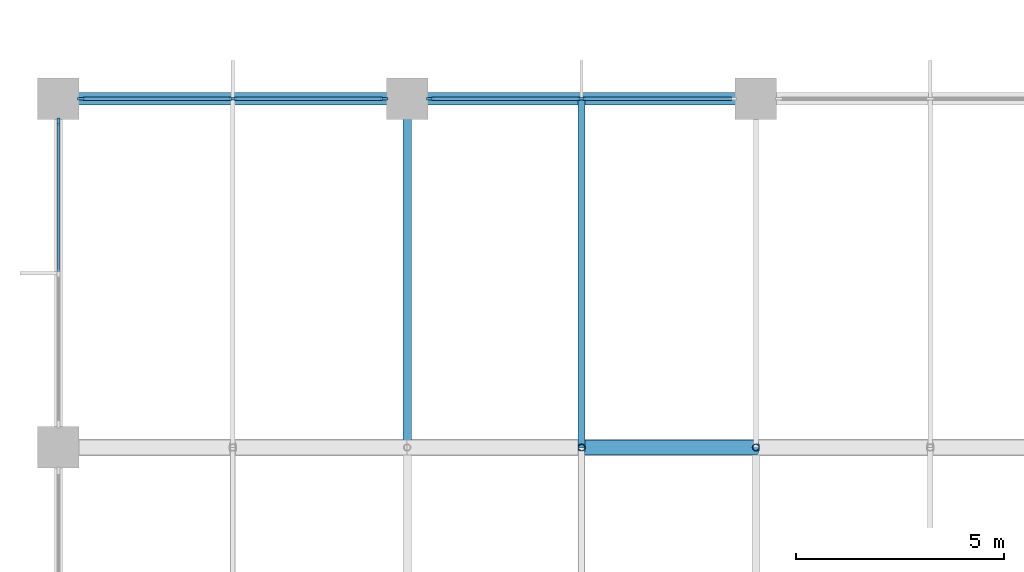
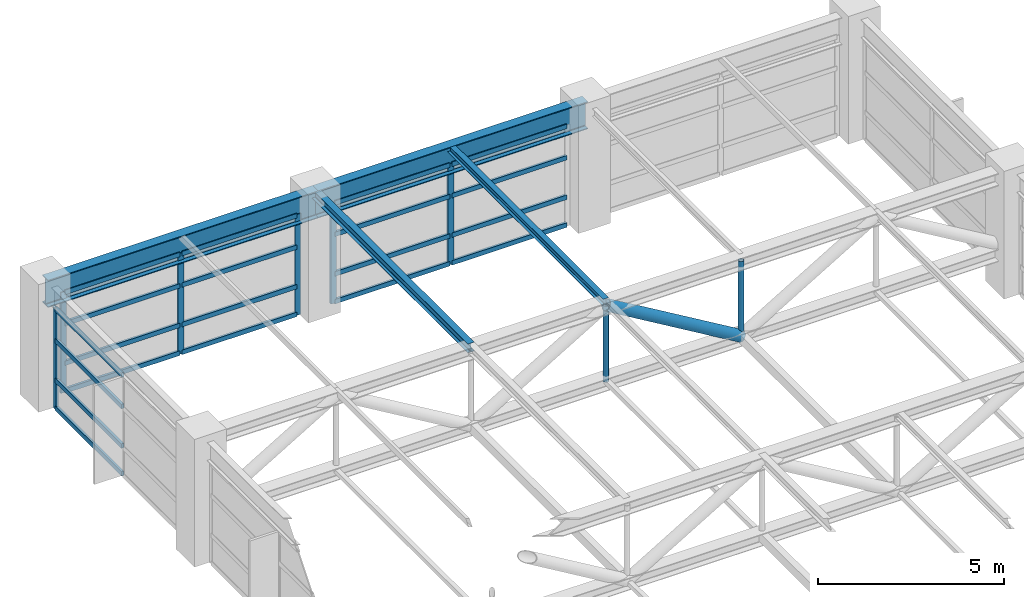
# One storey, part 16 of 32: 31 members, 2 beams, 3 elements without a shape of their own.
"""IFC4 building model written with IfcOpenShell, lengths in metres."""

from ifc_helpers import new_model, si_unit, direction, frame, origin, origin_2d, place, context, subcontext, project, spatial, rectangle, hollow_circle, i_section, extrude, material, material_profile, profile_set, type_object, element, aggregate, save


model = new_model("IFC4")

# Units and contexts
model_context = context("Model", 3, precision=1e-05, world=origin(), true_north=direction((0.0, 1.0)))
body_context = subcontext(model_context, "Body", "Model", "MODEL_VIEW")
ifc_project = project(units=[si_unit("LENGTHUNIT", "METRE"), si_unit("AREAUNIT", "SQUARE_METRE"), si_unit("VOLUMEUNIT", "CUBIC_METRE"), si_unit("PLANEANGLEUNIT", "RADIAN"), si_unit("MASSUNIT", "GRAM", prefix="KILO")], contexts=[model_context])

# Site, building, storey
site_placement = place(None, origin())
site = spatial("IfcSite", under=ifc_project, at=site_placement, CompositionType="ELEMENT")
building_placement = place(site_placement, origin())
building = spatial("IfcBuilding", under=site, at=building_placement, Name="Xuanlan Plaza Opera House", CompositionType="ELEMENT")
storey_placement = place(building_placement, frame((0.0, 0.0, 40.5)))
storey = spatial("IfcBuildingStorey", under=building, at=storey_placement, Name="L09", CompositionType="ELEMENT", Elevation=40.5)

# Curtain wall, members
ifc_material_1 = material(Name="Anodised Aluminium 6063-T6 and Low-E Glass", Category="aluminium")
curtain_wall_type = type_object("IfcCurtainWallType", Name="ENV-CW-CW-05", PredefinedType="USERDEFINED", material=ifc_material_1)
curtain_wall_1_placement = place(storey_placement, origin())
curtain_wall_1 = element("IfcCurtainWall", 1, at=curtain_wall_1_placement, inside=storey, type_object=curtain_wall_type, Name="Acoustic Glazed Wall FLY-L09-09", ObjectType="ACOUSTIC GLAZED WALL", PredefinedType="USERDEFINED")
ifc_material_2 = material(Name="Anodised Aluminium 6063-T6", Category="aluminium")
ifc_material_profile_1 = material_profile(ifc_material_2, rectangle(XDim=0.070068359375, YDim=0.179931640625, at=origin_2d()), Name="ALU-M 70x180")
ifc_profile_set_1 = profile_set([ifc_material_profile_1], Name="Anodised Aluminium 6063-T6")
member_type_1 = type_object("IfcMemberType", Name="ENV-CWM-02", PredefinedType="MULLION", material=ifc_profile_set_1)
member_1_placement = place(storey_placement, frame((54.60009765625, 75.60009765625, 0.0), z_axis=(0.0, 0.0, 1.0), x_axis=(0.0, -1.0, 0.0)))
member_1 = element("IfcMember", 2, at=member_1_placement, type_object=member_type_1, Name="CW-05 mullion 2", PredefinedType="MULLION", context=body_context, shape_type="SweptSolid", body=[
    extrude(rectangle(XDim=0.070068359375, YDim=0.179931640625, at=origin_2d()), origin(), (0.0, 0.0, 1.0), 3.320068359375),
])
member_2_placement = place(storey_placement, frame((50.955078125, 75.60009765625, 0.0), z_axis=(0.0, 0.0, 1.0), x_axis=(0.0, -1.0, 0.0)))
member_2 = element("IfcMember", 3, at=member_2_placement, type_object=member_type_1, Name="CW-05 mullion 3", PredefinedType="MULLION", context=body_context, shape_type="SweptSolid", body=[
    extrude(rectangle(XDim=0.070068359375, YDim=0.179931640625, at=origin_2d()), origin(), (0.0, 0.0, 1.0), 3.320068359375),
])

curtain_wall_2_placement = place(storey_placement, origin())
curtain_wall_2 = element("IfcCurtainWall", 4, at=curtain_wall_2_placement, inside=storey, type_object=curtain_wall_type, Name="Acoustic Glazed Wall FLY-L09-10", ObjectType="ACOUSTIC GLAZED WALL", PredefinedType="USERDEFINED")
member_3_placement = place(storey_placement, frame((49.844970703125, 75.60009765625, 0.0), z_axis=(0.0, 0.0, 1.0), x_axis=(0.0, -1.0, 0.0)))
member_3 = element("IfcMember", 5, at=member_3_placement, type_object=member_type_1, Name="CW-05 mullion 1", PredefinedType="MULLION", context=body_context, shape_type="SweptSolid", body=[
    extrude(rectangle(XDim=0.070068359375, YDim=0.179931640625, at=origin_2d()), origin(), (0.0, 0.0, 1.0), 3.320068359375),
])
member_4_placement = place(storey_placement, frame((46.199951171875, 75.60009765625, 0.0), z_axis=(0.0, 0.0, 1.0), x_axis=(0.0, -1.0, 0.0)))
member_4 = element("IfcMember", 6, at=member_4_placement, type_object=member_type_1, Name="CW-05 mullion 2", PredefinedType="MULLION", context=body_context, shape_type="SweptSolid", body=[
    extrude(rectangle(XDim=0.070068359375, YDim=0.179931640625, at=origin_2d()), origin(), (0.0, 0.0, 1.0), 3.320068359375),
])
member_5_placement = place(storey_placement, frame((42.554931640625, 75.60009765625, 0.0), z_axis=(0.0, 0.0, 1.0), x_axis=(0.0, -1.0, 0.0)))
member_5 = element("IfcMember", 7, at=member_5_placement, type_object=member_type_1, Name="CW-05 mullion 3", PredefinedType="MULLION", context=body_context, shape_type="SweptSolid", body=[
    extrude(rectangle(XDim=0.070068359375, YDim=0.179931640625, at=origin_2d()), origin(), (0.0, 0.0, 1.0), 3.320068359375),
])

# Curtain wall, member
curtain_wall_3_placement = place(storey_placement, origin())
curtain_wall_3 = element("IfcCurtainWall", 8, at=curtain_wall_3_placement, inside=storey, type_object=curtain_wall_type, Name="Acoustic Glazed Wall FLY-L09-11", ObjectType="ACOUSTIC GLAZED WALL", PredefinedType="USERDEFINED")
member_6_placement = place(storey_placement, frame((42.0, 75.044921875, 0.0), z_axis=(0.0, 0.0, 1.0), x_axis=(1.0, 0.0, 0.0)))
member_6 = element("IfcMember", 9, at=member_6_placement, type_object=member_type_1, Name="CW-05 mullion 1", PredefinedType="MULLION", context=body_context, shape_type="SweptSolid", body=[
    extrude(rectangle(XDim=0.070068359375, YDim=0.179931640625, at=origin_2d()), origin(), (0.0, 0.0, 1.0), 3.320068359375),
])

# Member
ifc_material_profile_2 = material_profile(ifc_material_2, rectangle(XDim=0.074951171875, YDim=0.14990234375, at=origin_2d()), Name="ALU-T 75x150")
ifc_profile_set_2 = profile_set([ifc_material_profile_2], Name="Anodised Aluminium 6063-T6")
member_type_2 = type_object("IfcMemberType", Name="ENV-CWT-03", PredefinedType="USERDEFINED", material=ifc_profile_set_2)
member_7_placement = place(storey_placement, frame((58.2099609375, 75.60009765625, 0.03759765625), z_axis=(-1.0, 0.0, 0.0), x_axis=(0.0, -1.0, 0.0)))
member_7 = element("IfcMember", 10, at=member_7_placement, type_object=member_type_2, Name="CW-05 transom 1.1", ObjectType="TRANSOM", PredefinedType="USERDEFINED", context=body_context, shape_type="SweptSolid", body=[
    extrude(rectangle(XDim=0.074951171875, YDim=0.14990234375, at=origin_2d()), origin(), (0.0, 0.0, 1.0), 3.574951171875),
])

member_8_placement = place(storey_placement, frame((58.2099609375, 75.60009765625, 0.949951171875), z_axis=(-1.0, 0.0, 0.0), x_axis=(0.0, -1.0, 0.0)))
member_8 = element("IfcMember", 11, at=member_8_placement, type_object=member_type_2, Name="CW-05 transom 1.2", ObjectType="TRANSOM", PredefinedType="USERDEFINED", context=body_context, shape_type="SweptSolid", body=[
    extrude(rectangle(XDim=0.074951171875, YDim=0.14990234375, at=origin_2d()), origin(), (0.0, 0.0, 1.0), 3.574951171875),
])

member_9_placement = place(storey_placement, frame((58.2099609375, 75.60009765625, 2.25), z_axis=(-1.0, 0.0, 0.0), x_axis=(0.0, -1.0, 0.0)))
member_9 = element("IfcMember", 12, at=member_9_placement, type_object=member_type_2, Name="CW-05 transom 1.3", ObjectType="TRANSOM", PredefinedType="USERDEFINED", context=body_context, shape_type="SweptSolid", body=[
    extrude(rectangle(XDim=0.074951171875, YDim=0.14990234375, at=origin_2d()), origin(), (0.0, 0.0, 1.0), 3.574951171875),
])

member_10_placement = place(storey_placement, frame((58.2099609375, 75.60009765625, 3.282470703125), z_axis=(-1.0, 0.0, 0.0), x_axis=(0.0, -1.0, 0.0)))
member_10 = element("IfcMember", 13, at=member_10_placement, type_object=member_type_2, Name="CW-05 transom 1.4", ObjectType="TRANSOM", PredefinedType="USERDEFINED", context=body_context, shape_type="SweptSolid", body=[
    extrude(rectangle(XDim=0.074951171875, YDim=0.14990234375, at=origin_2d()), origin(), (0.0, 0.0, 1.0), 3.574951171875),
])

member_11_placement = place(storey_placement, frame((54.56494140625, 75.60009765625, 0.03759765625), z_axis=(-1.0, 0.0, 0.0), x_axis=(0.0, -1.0, 0.0)))
member_11 = element("IfcMember", 14, at=member_11_placement, type_object=member_type_2, Name="CW-05 transom 2.1", ObjectType="TRANSOM", PredefinedType="USERDEFINED", context=body_context, shape_type="SweptSolid", body=[
    extrude(rectangle(XDim=0.074951171875, YDim=0.14990234375, at=origin_2d()), origin(), (0.0, 0.0, 1.0), 3.574951171875),
])

member_12_placement = place(storey_placement, frame((54.56494140625, 75.60009765625, 0.949951171875), z_axis=(-1.0, 0.0, 0.0), x_axis=(0.0, -1.0, 0.0)))
member_12 = element("IfcMember", 15, at=member_12_placement, type_object=member_type_2, Name="CW-05 transom 2.2", ObjectType="TRANSOM", PredefinedType="USERDEFINED", context=body_context, shape_type="SweptSolid", body=[
    extrude(rectangle(XDim=0.074951171875, YDim=0.14990234375, at=origin_2d()), origin(), (0.0, 0.0, 1.0), 3.574951171875),
])

member_13_placement = place(storey_placement, frame((54.56494140625, 75.60009765625, 2.25), z_axis=(-1.0, 0.0, 0.0), x_axis=(0.0, -1.0, 0.0)))
member_13 = element("IfcMember", 16, at=member_13_placement, type_object=member_type_2, Name="CW-05 transom 2.3", ObjectType="TRANSOM", PredefinedType="USERDEFINED", context=body_context, shape_type="SweptSolid", body=[
    extrude(rectangle(XDim=0.074951171875, YDim=0.14990234375, at=origin_2d()), origin(), (0.0, 0.0, 1.0), 3.574951171875),
])

member_14_placement = place(storey_placement, frame((54.56494140625, 75.60009765625, 3.282470703125), z_axis=(-1.0, 0.0, 0.0), x_axis=(0.0, -1.0, 0.0)))
member_14 = element("IfcMember", 17, at=member_14_placement, type_object=member_type_2, Name="CW-05 transom 2.4", ObjectType="TRANSOM", PredefinedType="USERDEFINED", context=body_context, shape_type="SweptSolid", body=[
    extrude(rectangle(XDim=0.074951171875, YDim=0.14990234375, at=origin_2d()), origin(), (0.0, 0.0, 1.0), 3.574951171875),
])

aggregate(curtain_wall_1, [member_1, member_2, member_7, member_8, member_9, member_10, member_11, member_12, member_13, member_14])

member_15_placement = place(storey_placement, frame((49.81005859375, 75.60009765625, 0.03759765625), z_axis=(-1.0, 0.0, 0.0), x_axis=(0.0, -1.0, 0.0)))
member_15 = element("IfcMember", 18, at=member_15_placement, type_object=member_type_2, Name="CW-05 transom 1.1", ObjectType="TRANSOM", PredefinedType="USERDEFINED", context=body_context, shape_type="SweptSolid", body=[
    extrude(rectangle(XDim=0.074951171875, YDim=0.14990234375, at=origin_2d()), origin(), (0.0, 0.0, 1.0), 3.574951171875),
])

member_16_placement = place(storey_placement, frame((49.81005859375, 75.60009765625, 0.949951171875), z_axis=(-1.0, 0.0, 0.0), x_axis=(0.0, -1.0, 0.0)))
member_16 = element("IfcMember", 19, at=member_16_placement, type_object=member_type_2, Name="CW-05 transom 1.2", ObjectType="TRANSOM", PredefinedType="USERDEFINED", context=body_context, shape_type="SweptSolid", body=[
    extrude(rectangle(XDim=0.074951171875, YDim=0.14990234375, at=origin_2d()), origin(), (0.0, 0.0, 1.0), 3.574951171875),
])

member_17_placement = place(storey_placement, frame((49.81005859375, 75.60009765625, 2.25), z_axis=(-1.0, 0.0, 0.0), x_axis=(0.0, -1.0, 0.0)))
member_17 = element("IfcMember", 20, at=member_17_placement, type_object=member_type_2, Name="CW-05 transom 1.3", ObjectType="TRANSOM", PredefinedType="USERDEFINED", context=body_context, shape_type="SweptSolid", body=[
    extrude(rectangle(XDim=0.074951171875, YDim=0.14990234375, at=origin_2d()), origin(), (0.0, 0.0, 1.0), 3.574951171875),
])

member_18_placement = place(storey_placement, frame((49.81005859375, 75.60009765625, 3.282470703125), z_axis=(-1.0, 0.0, 0.0), x_axis=(0.0, -1.0, 0.0)))
member_18 = element("IfcMember", 21, at=member_18_placement, type_object=member_type_2, Name="CW-05 transom 1.4", ObjectType="TRANSOM", PredefinedType="USERDEFINED", context=body_context, shape_type="SweptSolid", body=[
    extrude(rectangle(XDim=0.074951171875, YDim=0.14990234375, at=origin_2d()), origin(), (0.0, 0.0, 1.0), 3.574951171875),
])

member_19_placement = place(storey_placement, frame((46.1650390625, 75.60009765625, 0.03759765625), z_axis=(-1.0, 0.0, 0.0), x_axis=(0.0, -1.0, 0.0)))
member_19 = element("IfcMember", 22, at=member_19_placement, type_object=member_type_2, Name="CW-05 transom 2.1", ObjectType="TRANSOM", PredefinedType="USERDEFINED", context=body_context, shape_type="SweptSolid", body=[
    extrude(rectangle(XDim=0.074951171875, YDim=0.14990234375, at=origin_2d()), origin(), (0.0, 0.0, 1.0), 3.574951171875),
])

member_20_placement = place(storey_placement, frame((46.1650390625, 75.60009765625, 0.949951171875), z_axis=(-1.0, 0.0, 0.0), x_axis=(0.0, -1.0, 0.0)))
member_20 = element("IfcMember", 23, at=member_20_placement, type_object=member_type_2, Name="CW-05 transom 2.2", ObjectType="TRANSOM", PredefinedType="USERDEFINED", context=body_context, shape_type="SweptSolid", body=[
    extrude(rectangle(XDim=0.074951171875, YDim=0.14990234375, at=origin_2d()), origin(), (0.0, 0.0, 1.0), 3.574951171875),
])

member_21_placement = place(storey_placement, frame((46.1650390625, 75.60009765625, 2.25), z_axis=(-1.0, 0.0, 0.0), x_axis=(0.0, -1.0, 0.0)))
member_21 = element("IfcMember", 24, at=member_21_placement, type_object=member_type_2, Name="CW-05 transom 2.3", ObjectType="TRANSOM", PredefinedType="USERDEFINED", context=body_context, shape_type="SweptSolid", body=[
    extrude(rectangle(XDim=0.074951171875, YDim=0.14990234375, at=origin_2d()), origin(), (0.0, 0.0, 1.0), 3.574951171875),
])

member_22_placement = place(storey_placement, frame((46.1650390625, 75.60009765625, 3.282470703125), z_axis=(-1.0, 0.0, 0.0), x_axis=(0.0, -1.0, 0.0)))
member_22 = element("IfcMember", 25, at=member_22_placement, type_object=member_type_2, Name="CW-05 transom 2.4", ObjectType="TRANSOM", PredefinedType="USERDEFINED", context=body_context, shape_type="SweptSolid", body=[
    extrude(rectangle(XDim=0.074951171875, YDim=0.14990234375, at=origin_2d()), origin(), (0.0, 0.0, 1.0), 3.574951171875),
])

aggregate(curtain_wall_2, [member_3, member_4, member_5, member_15, member_16, member_17, member_18, member_19, member_20, member_21, member_22])

member_23_placement = place(storey_placement, frame((42.0, 75.010009765625, 0.03759765625), z_axis=(0.0, -1.0, 0.0), x_axis=(1.0, 0.0, 0.0)))
member_23 = element("IfcMember", 26, at=member_23_placement, type_object=member_type_2, Name="CW-05 transom 1.1", ObjectType="TRANSOM", PredefinedType="USERDEFINED", context=body_context, shape_type="SweptSolid", body=[
    extrude(rectangle(XDim=0.074951171875, YDim=0.14990234375, at=origin_2d()), origin(), (0.0, 0.0, 1.0), 3.574951171875),
])

member_24_placement = place(storey_placement, frame((42.0, 75.010009765625, 0.949951171875), z_axis=(0.0, -1.0, 0.0), x_axis=(1.0, 0.0, 0.0)))
member_24 = element("IfcMember", 27, at=member_24_placement, type_object=member_type_2, Name="CW-05 transom 1.2", ObjectType="TRANSOM", PredefinedType="USERDEFINED", context=body_context, shape_type="SweptSolid", body=[
    extrude(rectangle(XDim=0.074951171875, YDim=0.14990234375, at=origin_2d()), origin(), (0.0, 0.0, 1.0), 3.574951171875),
])

member_25_placement = place(storey_placement, frame((42.0, 75.010009765625, 2.25), z_axis=(0.0, -1.0, 0.0), x_axis=(1.0, 0.0, 0.0)))
member_25 = element("IfcMember", 28, at=member_25_placement, type_object=member_type_2, Name="CW-05 transom 1.3", ObjectType="TRANSOM", PredefinedType="USERDEFINED", context=body_context, shape_type="SweptSolid", body=[
    extrude(rectangle(XDim=0.074951171875, YDim=0.14990234375, at=origin_2d()), origin(), (0.0, 0.0, 1.0), 3.574951171875),
])

member_26_placement = place(storey_placement, frame((42.0, 75.010009765625, 3.282470703125), z_axis=(0.0, -1.0, 0.0), x_axis=(1.0, 0.0, 0.0)))
member_26 = element("IfcMember", 29, at=member_26_placement, type_object=member_type_2, Name="CW-05 transom 1.4", ObjectType="TRANSOM", PredefinedType="USERDEFINED", context=body_context, shape_type="SweptSolid", body=[
    extrude(rectangle(XDim=0.074951171875, YDim=0.14990234375, at=origin_2d()), origin(), (0.0, 0.0, 1.0), 3.574951171875),
])

aggregate(curtain_wall_3, [member_6, member_23, member_24, member_25, member_26])

# Beams
ifc_material_3 = material(Name="Steel Q390B", Category="steel")
ifc_material_profile_3 = material_profile(ifc_material_3, i_section(OverallWidth=0.300048828125, OverallDepth=0.89990234375, WebThickness=0.01611328125, FlangeThickness=0.028076171875, FilletRadius=0.028076171875, at=origin_2d()), Name="HN 900x300x16x28")
ifc_profile_set_3 = profile_set([ifc_material_profile_3], Name="Steel Q390B")
beam_type = type_object("IfcBeamType", Name="STR-BM-SB-01", PredefinedType="BEAM", material=ifc_profile_set_3)
beam_1_placement = place(storey_placement, frame((42.0, 75.60009765625, 3.510009765625), z_axis=(1.0, 0.0, 0.0), x_axis=(0.0, 1.0, 0.0)))
element("IfcBeam", 30, at=beam_1_placement, inside=storey, type_object=beam_type, Name="Fly Tower Edge Girder L09 6-7/J", PredefinedType="BEAM", context=body_context, shape_type="SweptSolid", body=[
    extrude(i_section(OverallWidth=0.300048828125, OverallDepth=0.89990234375, WebThickness=0.01611328125, FlangeThickness=0.028076171875, FilletRadius=0.028076171875, at=origin_2d()), origin(), (0.0, 0.0, 1.0), 8.39990234375),
])
beam_2_placement = place(storey_placement, frame((50.39990234375, 75.60009765625, 3.510009765625), z_axis=(1.0, 0.0, 0.0), x_axis=(0.0, 1.0, 0.0)))
element("IfcBeam", 31, at=beam_2_placement, inside=storey, type_object=beam_type, Name="Fly Tower Edge Girder L09 7-8/J", PredefinedType="BEAM", context=body_context, shape_type="SweptSolid", body=[
    extrude(i_section(OverallWidth=0.300048828125, OverallDepth=0.89990234375, WebThickness=0.01611328125, FlangeThickness=0.028076171875, FilletRadius=0.028076171875, at=origin_2d()), origin(), (0.0, 0.0, 1.0), 8.400146484375),
])

# Members
ifc_material_4 = material(Name="Steel Q355B", Category="steel")
ifc_material_profile_4 = material_profile(ifc_material_4, hollow_circle(Radius=0.177734375, WallThickness=0.01611328125, at=origin_2d()), Name="CHS 355.6x16")
ifc_profile_set_4 = profile_set([ifc_material_profile_4], Name="Steel Q355B")
member_type_3 = type_object("IfcMemberType", Name="STR-MEM-BR-02", PredefinedType="BRACE", material=ifc_profile_set_4)
member_27_placement = place(storey_placement, frame((54.60009765625, 67.199951171875, 3.751953125), z_axis=(0.859290270856, 0.0, -0.511488250512), x_axis=(0.0, 1.0, 0.0)))
element("IfcMember", 32, at=member_27_placement, inside=storey, type_object=member_type_3, Name="Stage Roof Truss STG-03 Web Diagonal 4", PredefinedType="BRACE", context=body_context, shape_type="SweptSolid", body=[
    extrude(hollow_circle(Radius=0.177734375, WallThickness=0.01611328125, at=origin_2d()), origin(), (0.0, 0.0, 1.0), 4.8876953125),
])
ifc_material_profile_5 = material_profile(ifc_material_4, i_section(OverallWidth=0.199951171875, OverallDepth=0.2939453125, WebThickness=0.008056640625, FlangeThickness=0.011962890625, FilletRadius=0.01611328125, at=origin_2d()), Name="HM 294x200x8x12")
ifc_profile_set_5 = profile_set([ifc_material_profile_5], Name="Steel Q355B")
member_type_4 = type_object("IfcMemberType", Name="STR-MEM-PR-05", PredefinedType="PURLIN", material=ifc_profile_set_5)
member_28_placement = place(storey_placement, frame((50.39990234375, 67.199951171875, 3.81201171875), z_axis=(0.0, 1.0, 0.0), x_axis=(-1.0, 0.0, 0.0)))
element("IfcMember", 33, at=member_28_placement, inside=storey, type_object=member_type_4, Name="Stage Gridiron Roof Purlin 4-3", PredefinedType="PURLIN", context=body_context, shape_type="SweptSolid", body=[
    extrude(i_section(OverallWidth=0.199951171875, OverallDepth=0.2939453125, WebThickness=0.008056640625, FlangeThickness=0.011962890625, FilletRadius=0.01611328125, at=origin_2d()), origin(), (0.0, 0.0, 1.0), 8.400146484375),
])
ifc_material_profile_6 = material_profile(ifc_material_4, i_section(OverallWidth=0.175048828125, OverallDepth=0.243896484375, WebThickness=0.007080078125, FlangeThickness=0.010986328125, FilletRadius=0.012939453125, at=origin_2d()), Name="HM 244x175x7x11")
ifc_profile_set_6 = profile_set([ifc_material_profile_6], Name="Steel Q355B")
member_type_5 = type_object("IfcMemberType", Name="STR-MEM-PR-06", PredefinedType="PURLIN", material=ifc_profile_set_6)
member_29_placement = place(storey_placement, frame((54.60009765625, 67.199951171875, 3.8369140625), z_axis=(0.0, 1.0, 0.0), x_axis=(-1.0, 0.0, 0.0)))
element("IfcMember", 34, at=member_29_placement, inside=storey, type_object=member_type_5, Name="Stage Gridiron Roof Purlin 4-4", PredefinedType="PURLIN", context=body_context, shape_type="SweptSolid", body=[
    extrude(i_section(OverallWidth=0.175048828125, OverallDepth=0.243896484375, WebThickness=0.007080078125, FlangeThickness=0.010986328125, FilletRadius=0.012939453125, at=origin_2d()), origin(), (0.0, 0.0, 1.0), 8.400146484375),
])
ifc_material_profile_7 = material_profile(ifc_material_4, hollow_circle(Radius=0.084228515625, WallThickness=0.008056640625, at=origin_2d()), Name="CHS 168.3x8")
ifc_profile_set_7 = profile_set([ifc_material_profile_7], Name="Steel Q355B")
member_type_6 = type_object("IfcMemberType", Name="STR-MEM-ST-M1", PredefinedType="STRUT", material=ifc_profile_set_7)
for number, where, z_axis, x_axis, name in (
    (35, (54.60009765625, 67.199951171875, 1.251953125), (0.0, 0.0, 1.0), (1.0, 0.0, 0.0), "Stage Roof Truss STG-03 Vertical Strut 3"),
    (36, (58.800048828125, 67.199951171875, 1.251953125), (0.0, 0.0, 1.0), (1.0, 0.0, 0.0), "Stage Roof Truss STG-03 Vertical Strut 4"),
):
    element("IfcMember", number, at=place(storey_placement, frame(where, z_axis=z_axis, x_axis=x_axis)), inside=storey, type_object=member_type_6, Name=name, PredefinedType="STRUT", context=body_context, shape_type="SweptSolid", body=[
        extrude(hollow_circle(Radius=0.084228515625, WallThickness=0.008056640625, at=origin_2d()), origin(), (0.0, 0.0, 1.0), 2.5),
    ])

save(model, "model.ifc")
